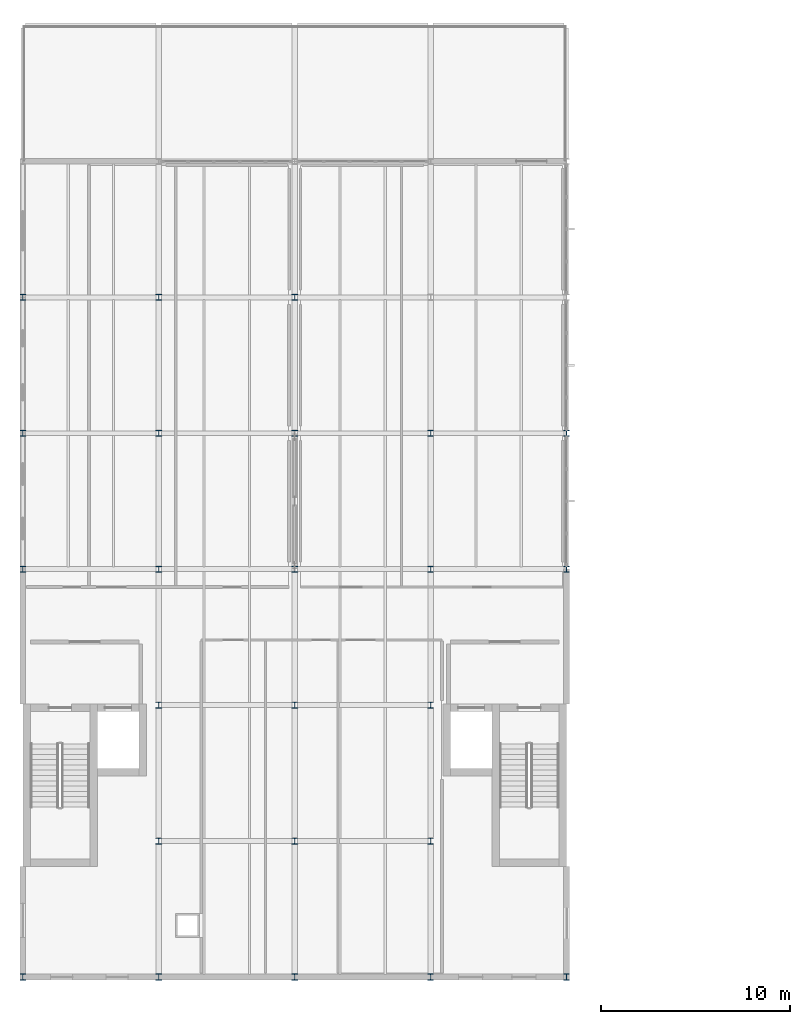
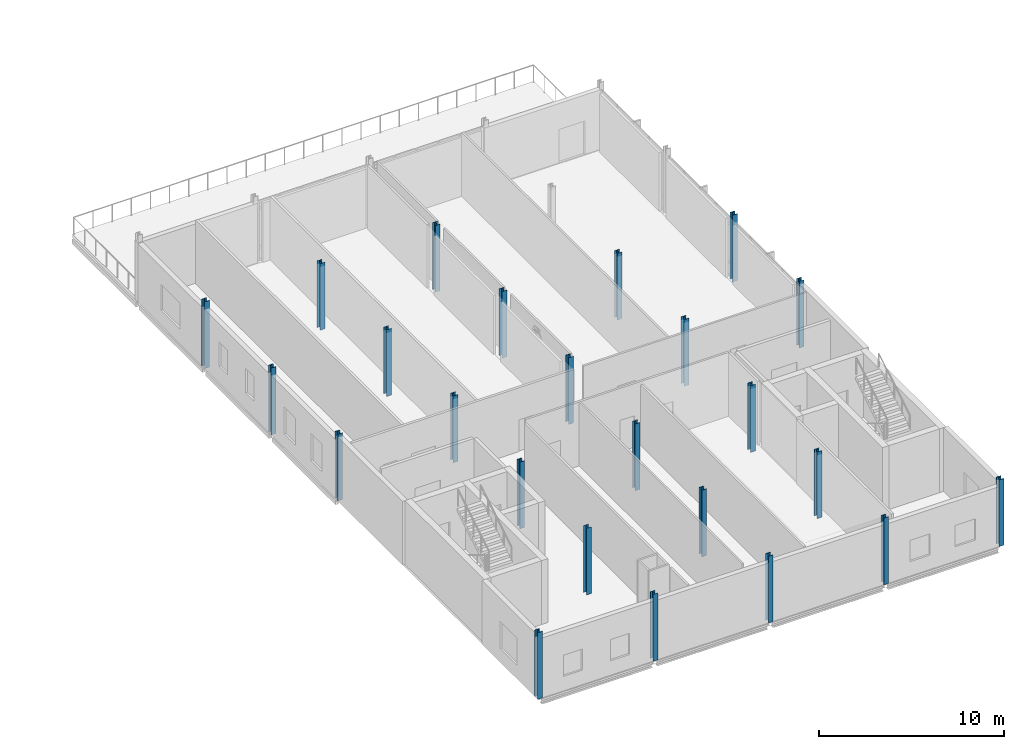
# One storey, part 1 of 21: 24 columns.
"""IFC4 building model written with IfcOpenShell, lengths in metres."""

import ifcopenshell
import ifcopenshell.guid

model = None  # the IFC model being written
_history = None  # IfcOwnerHistory: only IFC2X3 demands one
_inside = {}  # id of a spatial element -> (the spatial element, [elements in it])
_under = {}  # id of a project, library or spatial element -> (it, [spatial elements below it])
_declared = {}  # id of a project -> (the project, [libraries it declares])
_typed = {}  # id of a type object -> (the type object, [elements of that type])
_made_of = {}  # id of a material, layer set ... -> (it, [elements and type objects made of it])


def new_model(schema):
    """Start an empty IFC model of exactly this schema.

    Asked for "IFC4X3", IfcOpenShell would pick the latest addendum, in which some entities
    have other attributes; the version numbers below select the first issue.
    IFC2X3 requires an IfcOwnerHistory on every rooted entity: one is made here for all.
    """
    global model, _history
    if schema == "IFC4X3":
        model = ifcopenshell.file(schema_version=(4, 3, 0, 0))
    else:
        model = ifcopenshell.file(schema=schema)
    _inside.clear()
    _under.clear()
    _declared.clear()
    _typed.clear()
    _made_of.clear()
    _history = None
    if model.schema == "IFC2X3":
        org = make("IfcOrganization", Name="unknown")
        user = make(
            "IfcPersonAndOrganization",
            ThePerson=make("IfcPerson", FamilyName="unknown"),
            TheOrganization=org,
        )
        app = make(
            "IfcApplication",
            ApplicationDeveloper=org,
            Version="unknown",
            ApplicationFullName="unknown",
            ApplicationIdentifier="unknown",
        )
        _history = make(
            "IfcOwnerHistory",
            OwningUser=user,
            OwningApplication=app,
            ChangeAction="ADDED",
            CreationDate=0,
        )
    return model


def make(cls, **values):
    """One entity of the class cls with the attributes given. An attribute that is None is left unset."""
    return model.create_entity(
        cls, **{name: value for name, value in values.items() if value is not None}
    )


def rooted(cls, **values):
    """An entity with a GlobalId (a new one), such as an element, a storey or a relation."""
    return make(cls, GlobalId=ifcopenshell.guid.new(), OwnerHistory=_history, **values)


def si_unit(unit_type, name, prefix=None):
    """IfcSIUnit, for example si_unit("LENGTHUNIT", "METRE", prefix="MILLI")."""
    return make("IfcSIUnit", UnitType=unit_type, Prefix=prefix, Name=name)


def assignment(units):
    """IfcUnitAssignment: the units of a project."""
    return None if units is None else make("IfcUnitAssignment", Units=units)


def point(xyz):
    """IfcCartesianPoint."""
    return None if xyz is None else make("IfcCartesianPoint", Coordinates=xyz)


def direction(xyz):
    """IfcDirection."""
    return None if xyz is None else make("IfcDirection", DirectionRatios=xyz)


def frame(location, z_axis=None, x_axis=None):
    """IfcAxis2Placement3D, a coordinate frame: its origin and axes. An axis left out is left unset."""
    return make(
        "IfcAxis2Placement3D",
        Location=point(location),
        Axis=direction(z_axis),
        RefDirection=direction(x_axis),
    )


def frame_2d(location, x_axis=None):
    """IfcAxis2Placement2D, a coordinate frame in the plane: its origin and x axis."""
    return make(
        "IfcAxis2Placement2D", Location=point(location), RefDirection=direction(x_axis)
    )


def origin():
    """The frame at (0, 0, 0) with its axes left unset."""
    return frame((0.0, 0.0, 0.0))


def origin_2d():
    """The frame at (0, 0) in the plane with its x axis left unset."""
    return frame_2d((0.0, 0.0))


def place(relative_to, where):
    """IfcLocalPlacement: puts the frame where relative to a parent placement (None: the world)."""
    return make(
        "IfcLocalPlacement", PlacementRelTo=relative_to, RelativePlacement=where
    )


def context(
    kind, dimensions, precision=None, world=None, true_north=None, identifier=None
):
    """IfcGeometricRepresentationContext, for example the 3D "Model" context."""
    return make(
        "IfcGeometricRepresentationContext",
        ContextIdentifier=identifier,
        ContextType=kind,
        CoordinateSpaceDimension=dimensions,
        Precision=precision,
        WorldCoordinateSystem=world,
        TrueNorth=true_north,
    )


def subcontext(parent, identifier, kind, view, scale=None):
    """IfcGeometricRepresentationSubContext, for example "Body" below "Model"."""
    return make(
        "IfcGeometricRepresentationSubContext",
        ContextIdentifier=identifier,
        ContextType=kind,
        ParentContext=parent,
        TargetScale=scale,
        TargetView=view,
    )


def project(units=None, contexts=None):
    """IfcProject with its units and contexts."""
    return rooted(
        "IfcProject",
        Name="project",
        RepresentationContexts=contexts,
        UnitsInContext=assignment(units),
    )


def spatial(cls, under=None, at=None, **own):
    """A site, building, storey or space (cls), placed at a placement, below another one or the project."""
    s = rooted(cls, ObjectPlacement=at, **own)
    if under is not None:
        _under.setdefault(under.id(), (under, []))[1].append(s)
    return s


def profile(cls, at=None, kind="AREA", **sizes):
    """A parametric profile (cls). Its sizes go by their IFC names, for example OverallWidth=200.0."""
    return make(cls, ProfileType=kind, Position=at, **sizes)


def i_section(**sizes):
    """IfcIShapeProfileDef."""
    return profile("IfcIShapeProfileDef", **sizes)


def extrude(swept, where, along, depth):
    """IfcExtrudedAreaSolid: the profile swept, set in the frame where, extruded along a direction by depth."""
    return make(
        "IfcExtrudedAreaSolid",
        SweptArea=swept,
        Position=where,
        ExtrudedDirection=direction(along),
        Depth=depth,
    )


def shape(context_of_items, identifier, shape_type, items):
    """IfcShapeRepresentation: the items that make up one representation, for example the "Body"."""
    return make(
        "IfcShapeRepresentation",
        ContextOfItems=context_of_items,
        RepresentationIdentifier=identifier,
        RepresentationType=shape_type,
        Items=items,
    )


def material(Name=None, Category=None):
    """IfcMaterial."""
    return make("IfcMaterial", Name=Name, Category=Category)


def material_profile(
    of_material, cross_section, Name=None, Category=None, Priority=None
):
    """IfcMaterialProfile: a cross section and its material."""
    return make(
        "IfcMaterialProfile",
        Name=Name,
        Material=of_material,
        Profile=cross_section,
        Priority=Priority,
        Category=Category,
    )


def profile_set(profiles, Name=None, composite=None):
    """IfcMaterialProfileSet."""
    return make(
        "IfcMaterialProfileSet",
        Name=Name,
        MaterialProfiles=profiles,
        CompositeProfile=composite,
    )


def made_of(thing, what):
    """Note that an element or type object is made of a material, layer set ...; save() writes the relation."""
    if what is not None:
        _made_of.setdefault(what.id(), (what, []))[1].append(thing)
    return thing


def type_object(cls, material=None, **own):
    """A type object (cls), such as IfcWallType, which elements share."""
    return made_of(rooted(cls, **own), material)


def element(
    cls,
    number,
    at=None,
    inside=None,
    cuts=None,
    type_object=None,
    material=None,
    context=None,
    identifier="Body",
    shape_type=None,
    held_by="IfcProductDefinitionShape",
    body=None,
    shapes=None,
    **own,
):
    """One element of the class cls, such as IfcWall. Its Tag is "e" and its number.

    at: its placement. inside: the storey or other place that contains it. cuts: it is an
    opening in that element (IfcRelVoidsElement). A single representation is given by context,
    identifier, shape_type and body (its items); several are given by shapes. held_by: the class
    of the entity that holds the representations. save() writes the other relations.
    """
    e = rooted(cls, Tag="e%d" % number, ObjectPlacement=at, **own)
    if body is not None:
        shapes = [shape(context, identifier, shape_type, body)]
    if shapes is not None:
        e.Representation = make(held_by, Representations=shapes)
    if inside is not None:
        _inside.setdefault(inside.id(), (inside, []))[1].append(e)
    if cuts is not None:
        rooted(
            "IfcRelVoidsElement", RelatingBuildingElement=cuts, RelatedOpeningElement=e
        )
    if type_object is not None:
        _typed.setdefault(type_object.id(), (type_object, []))[1].append(e)
    return made_of(e, material)


def aggregate(whole, parts):
    """IfcRelAggregates: a whole, such as a stair, and the parts it consists of."""
    return rooted("IfcRelAggregates", RelatingObject=whole, RelatedObjects=parts)


def save(model, path):
    """Write the relations noted so far, then the file.

    IfcRelAggregates (storeys below a building ...), IfcRelContainedInSpatialStructure (elements
    in a storey), IfcRelDefinesByType, IfcRelAssociatesMaterial and IfcRelDeclares: one each for
    every whole, place, type object, material and project.
    """
    for whole, parts in _under.values():
        aggregate(whole, parts)
    for where, things in _inside.values():
        rooted(
            "IfcRelContainedInSpatialStructure",
            RelatedElements=things,
            RelatingStructure=where,
        )
    for kind, things in _typed.values():
        rooted("IfcRelDefinesByType", RelatedObjects=things, RelatingType=kind)
    for what, things in _made_of.values():
        rooted("IfcRelAssociatesMaterial", RelatedObjects=things, RelatingMaterial=what)
    for by, libraries in _declared.values():
        rooted("IfcRelDeclares", RelatingContext=by, RelatedDefinitions=libraries)
    model.write(path)


model = new_model("IFC4")

# Units and contexts
model_context = context("Model", 3, precision=1e-05, world=origin(), true_north=direction((0.0, 1.0)))
body_context = subcontext(model_context, "Body", "Model", "MODEL_VIEW")
ifc_project = project(units=[si_unit("LENGTHUNIT", "METRE"), si_unit("AREAUNIT", "SQUARE_METRE"), si_unit("VOLUMEUNIT", "CUBIC_METRE"), si_unit("PLANEANGLEUNIT", "RADIAN"), si_unit("MASSUNIT", "GRAM", prefix="KILO")], contexts=[model_context])

# Site, building, storey
site_placement = place(None, origin())
site = spatial("IfcSite", under=ifc_project, at=site_placement, CompositionType="ELEMENT")
building_placement = place(site_placement, origin())
building = spatial("IfcBuilding", under=site, at=building_placement, Name="Zarrinpeak Specialist Clinic", CompositionType="ELEMENT")
storey_placement = place(building_placement, frame((0.0, 0.0, 22.800048828125)))
storey = spatial("IfcBuildingStorey", under=building, at=storey_placement, Name="L05", CompositionType="ELEMENT", Elevation=22.800048828125)

# Columns
ifc_material = material(Name="Steel S355", Category="steel")
ifc_material_profile = material_profile(ifc_material, i_section(OverallWidth=0.300048828125, OverallDepth=0.320068359375, WebThickness=0.011474609375, FlangeThickness=0.0205078125, FilletRadius=0.027099609375, at=origin_2d()), Name="HEB 320")
ifc_profile_set = profile_set([ifc_material_profile], Name="Steel S355")
column_type = type_object("IfcColumnType", Name="COL-HEB320", PredefinedType="COLUMN", material=ifc_profile_set)
for number, where, z_axis, x_axis, name in (
    (1, (0.0, 0.0, 0.0), (0.0, 0.0, 1.0), (1.0, 0.0, 0.0), "L05 Structural Column COL-L05-001"),
    (2, (0.0, 21.60009765625, 0.0), (0.0, 0.0, 1.0), (1.0, 0.0, 0.0), "L05 Structural Column COL-L05-002"),
    (3, (0.0, 28.800048828125, 0.0), (0.0, 0.0, 1.0), (1.0, 0.0, 0.0), "L05 Structural Column COL-L05-003"),
    (4, (0.0, 36.0, 0.0), (0.0, 0.0, 1.0), (1.0, 0.0, 0.0), "L05 Structural Column COL-L05-004"),
    (5, (7.199951171875, 0.0, 0.0), (0.0, 0.0, 1.0), (1.0, 0.0, 0.0), "L05 Structural Column COL-L05-006"),
    (6, (7.199951171875, 7.199951171875, 0.0), (0.0, 0.0, 1.0), (1.0, 0.0, 0.0), "L05 Structural Column COL-L05-007"),
    (7, (7.199951171875, 14.39990234375, 0.0), (0.0, 0.0, 1.0), (1.0, 0.0, 0.0), "L05 Structural Column COL-L05-008"),
    (8, (7.199951171875, 21.60009765625, 0.0), (0.0, 0.0, 1.0), (1.0, 0.0, 0.0), "L05 Structural Column COL-L05-009"),
    (9, (7.199951171875, 28.800048828125, 0.0), (0.0, 0.0, 1.0), (1.0, 0.0, 0.0), "L05 Structural Column COL-L05-010"),
    (10, (7.199951171875, 36.0, 0.0), (0.0, 0.0, 1.0), (1.0, 0.0, 0.0), "L05 Structural Column COL-L05-011"),
    (11, (14.39990234375, 0.0, 0.0), (0.0, 0.0, 1.0), (1.0, 0.0, 0.0), "L05 Structural Column COL-L05-013"),
    (12, (14.39990234375, 7.199951171875, 0.0), (0.0, 0.0, 1.0), (1.0, 0.0, 0.0), "L05 Structural Column COL-L05-014"),
    (13, (14.39990234375, 14.39990234375, 0.0), (0.0, 0.0, 1.0), (1.0, 0.0, 0.0), "L05 Structural Column COL-L05-015"),
    (14, (14.39990234375, 21.60009765625, 0.0), (0.0, 0.0, 1.0), (1.0, 0.0, 0.0), "L05 Structural Column COL-L05-016"),
    (15, (14.39990234375, 28.800048828125, 0.0), (0.0, 0.0, 1.0), (1.0, 0.0, 0.0), "L05 Structural Column COL-L05-017"),
    (16, (14.39990234375, 36.0, 0.0), (0.0, 0.0, 1.0), (1.0, 0.0, 0.0), "L05 Structural Column COL-L05-018"),
    (17, (21.60009765625, 0.0, 0.0), (0.0, 0.0, 1.0), (1.0, 0.0, 0.0), "L05 Structural Column COL-L05-020"),
    (18, (21.60009765625, 7.199951171875, 0.0), (0.0, 0.0, 1.0), (1.0, 0.0, 0.0), "L05 Structural Column COL-L05-021"),
    (19, (21.60009765625, 14.39990234375, 0.0), (0.0, 0.0, 1.0), (1.0, 0.0, 0.0), "L05 Structural Column COL-L05-022"),
    (20, (21.60009765625, 21.60009765625, 0.0), (0.0, 0.0, 1.0), (1.0, 0.0, 0.0), "L05 Structural Column COL-L05-023"),
    (21, (21.60009765625, 28.800048828125, 0.0), (0.0, 0.0, 1.0), (1.0, 0.0, 0.0), "L05 Structural Column COL-L05-024"),
    (22, (28.800048828125, 0.0, 0.0), (0.0, 0.0, 1.0), (1.0, 0.0, 0.0), "L05 Structural Column COL-L05-027"),
    (23, (28.800048828125, 21.60009765625, 0.0), (0.0, 0.0, 1.0), (1.0, 0.0, 0.0), "L05 Structural Column COL-L05-028"),
    (24, (28.800048828125, 28.800048828125, 0.0), (0.0, 0.0, 1.0), (1.0, 0.0, 0.0), "L05 Structural Column COL-L05-029"),
):
    element("IfcColumn", number, at=place(storey_placement, frame(where, z_axis=z_axis, x_axis=x_axis)), inside=storey, type_object=column_type, Name=name, PredefinedType="COLUMN", context=body_context, shape_type="SweptSolid", body=[
        extrude(i_section(OverallWidth=0.300048828125, OverallDepth=0.320068359375, WebThickness=0.011474609375, FlangeThickness=0.0205078125, FilletRadius=0.027099609375, at=origin_2d()), origin(), (0.0, 0.0, 1.0), 4.39990234375),
    ])

save(model, "model.ifc")
